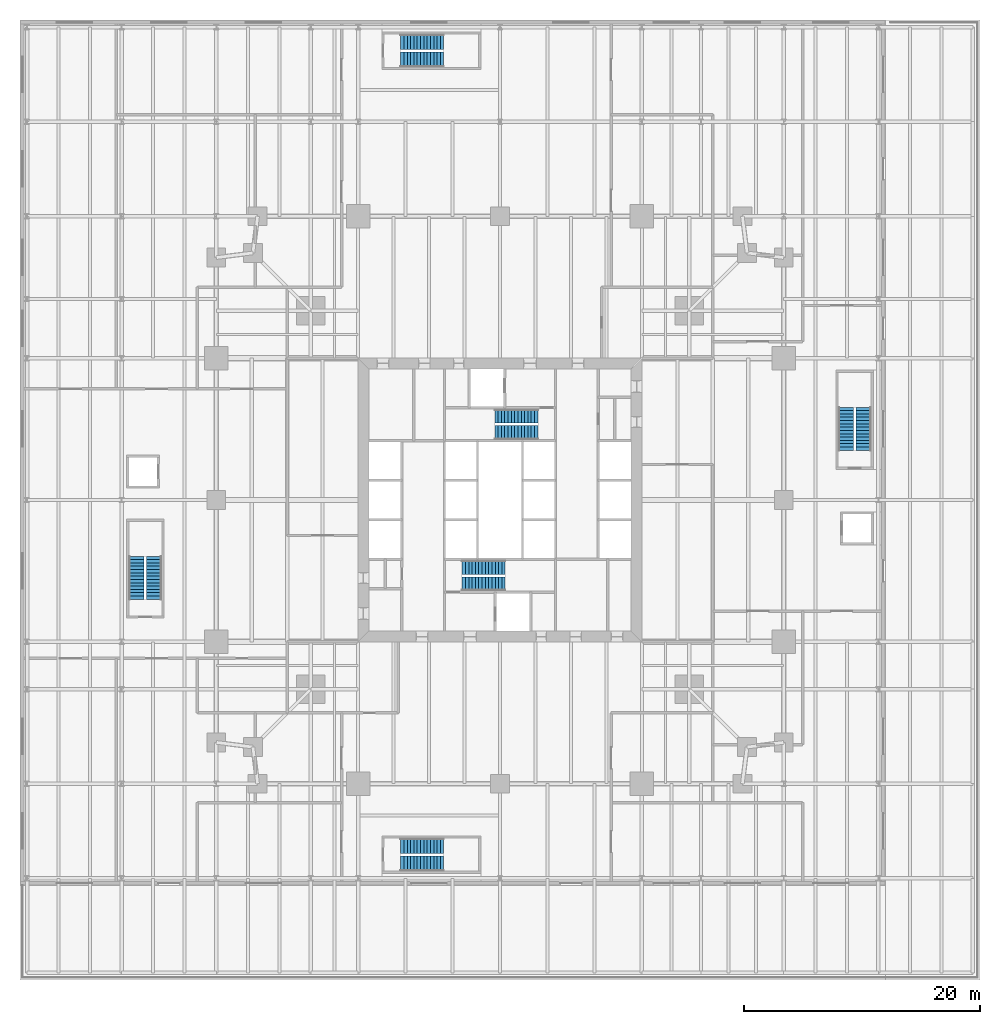
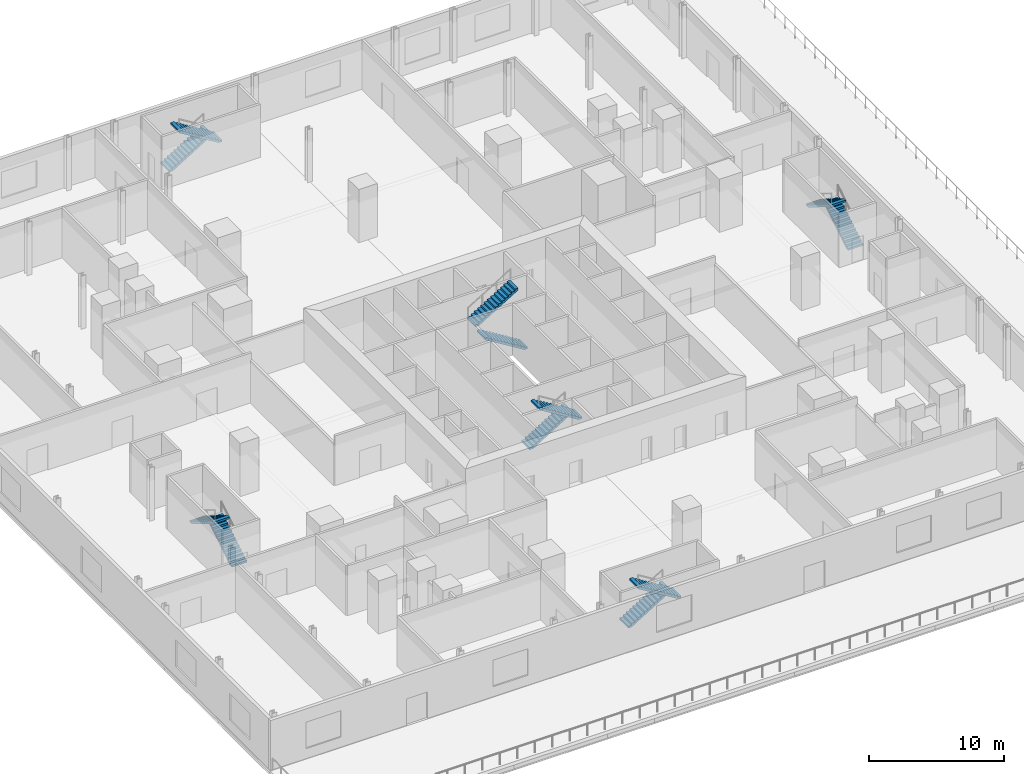
# One storey, part 16 of 18: 12 stair flights, 6 elements without a shape of their own.
"""IFC4 building model written with IfcOpenShell, lengths in metres."""

from ifc_helpers import new_model, si_unit, direction, frame, origin, place, context, subcontext, project, spatial, polyline, outline, extrude, material, type_object, element, aggregate, save


model = new_model("IFC4")

# Units and contexts
model_context = context("Model", 3, precision=1e-05, world=origin(), true_north=direction((0.0, 1.0)))
body_context = subcontext(model_context, "Body", "Model", "MODEL_VIEW")
ifc_project = project(units=[si_unit("LENGTHUNIT", "METRE"), si_unit("AREAUNIT", "SQUARE_METRE"), si_unit("VOLUMEUNIT", "CUBIC_METRE"), si_unit("PLANEANGLEUNIT", "RADIAN"), si_unit("MASSUNIT", "GRAM", prefix="KILO")], contexts=[model_context])

# Site, building, storey
site_placement = place(None, origin())
site = spatial("IfcSite", under=ifc_project, at=site_placement, CompositionType="ELEMENT")
building_placement = place(site_placement, origin())
building = spatial("IfcBuilding", under=site, at=building_placement, Name="Fenwick Lantern Interchange", CompositionType="ELEMENT")
storey_placement = place(building_placement, frame((0.0, 0.0, 11.800048828125)))
storey = spatial("IfcBuildingStorey", under=building, at=storey_placement, Name="L02", CompositionType="ELEMENT", Elevation=11.800048828125)

# Stair, stair flights
ifc_material = material(Name="Precast concrete f'c 35 MPa", Category="concrete")
stair_type_1 = type_object("IfcStairType", Name="EXIT STAIR 1200", PredefinedType="HALF_TURN_STAIR", material=ifc_material)
stair_1_placement = place(storey_placement, origin())
stair_1 = element("IfcStair", 1, at=stair_1_placement, inside=storey, type_object=stair_type_1, Name="Exit stair ST1", PredefinedType="HALF_TURN_STAIR")
stair_flight_type_1 = type_object("IfcStairFlightType", Name="STAIR FLIGHT 1200", PredefinedType="STRAIGHT", material=ifc_material)
stair_flight_1_placement = place(storey_placement, frame((21.800048828125, 19.300048828125, 0.0), z_axis=(0.0, 0.0, 1.0), x_axis=(1.0, 0.0, 0.0)))
stair_flight_1 = element("IfcStairFlight", 2, at=stair_flight_1_placement, type_object=stair_flight_type_1, Name="ST1 flight 1", NumberOfRisers=14, NumberOfTreads=13, PredefinedType="STRAIGHT", RiserHeight=0.171428571, TreadLength=0.28, context=body_context, shape_type="SweptSolid", body=[
    extrude(outline(polyline([(0.0, 0.0), (0.0, 0.17138671875), (0.280029296875, 0.17138671875), (0.280029296875, 0.3427734375), (0.56005859375, 0.3427734375), (0.56005859375, 0.514404296875), (0.840087890625, 0.514404296875), (0.840087890625, 0.685791015625), (1.1201171875, 0.685791015625), (1.1201171875, 0.857177734375), (1.39990234375, 0.857177734375), (1.39990234375, 1.028564453125), (1.679931640625, 1.028564453125), (1.679931640625, 1.199951171875), (1.9599609375, 1.199951171875), (1.9599609375, 1.371337890625), (2.239990234375, 1.371337890625), (2.239990234375, 1.54296875), (2.52001953125, 1.54296875), (2.52001953125, 1.71435546875), (2.800048828125, 1.71435546875), (2.800048828125, 1.8857421875), (3.080078125, 1.8857421875), (3.080078125, 2.05712890625), (3.360107421875, 2.05712890625), (3.360107421875, 2.228515625), (3.639892578125, 2.228515625), (3.639892578125, 2.39990234375), (3.639892578125, 2.052734375), (0.287109375, 0.0), (0.0, 0.0)])), frame((0.0, 0.60009765625, 0.0), z_axis=(0.0, -1.0, 0.0), x_axis=(1.0, 0.0, 0.0)), (0.0, 0.0, 1.0), 1.199951171875),
])
stair_flight_2_placement = place(storey_placement, frame((25.43994140625, 17.89990234375, 2.39990234375), z_axis=(0.0, 0.0, 1.0), x_axis=(-1.0, 0.0, 0.0)))
stair_flight_2 = element("IfcStairFlight", 3, at=stair_flight_2_placement, type_object=stair_flight_type_1, Name="ST1 flight 2", NumberOfRisers=14, NumberOfTreads=13, PredefinedType="STRAIGHT", RiserHeight=0.171428571, TreadLength=0.28, context=body_context, shape_type="SweptSolid", body=[
    extrude(outline(polyline([(0.0, 0.0), (0.0, 0.17138671875), (0.280029296875, 0.17138671875), (0.280029296875, 0.3427734375), (0.56005859375, 0.3427734375), (0.56005859375, 0.514404296875), (0.840087890625, 0.514404296875), (0.840087890625, 0.685791015625), (1.1201171875, 0.685791015625), (1.1201171875, 0.857177734375), (1.39990234375, 0.857177734375), (1.39990234375, 1.028564453125), (1.679931640625, 1.028564453125), (1.679931640625, 1.199951171875), (1.9599609375, 1.199951171875), (1.9599609375, 1.371337890625), (2.239990234375, 1.371337890625), (2.239990234375, 1.54296875), (2.52001953125, 1.54296875), (2.52001953125, 1.71435546875), (2.800048828125, 1.71435546875), (2.800048828125, 1.8857421875), (3.080078125, 1.8857421875), (3.080078125, 2.05712890625), (3.360107421875, 2.05712890625), (3.360107421875, 2.228515625), (3.639892578125, 2.228515625), (3.639892578125, 2.39990234375), (3.639892578125, 2.052734375), (0.287109375, 0.0), (0.0, 0.0)])), frame((0.0, 0.60009765625, 0.0), z_axis=(0.0, -1.0, 0.0), x_axis=(1.0, 0.0, 0.0)), (0.0, 0.0, 1.0), 1.199951171875),
])
aggregate(stair_1, [stair_flight_1, stair_flight_2])

stair_2_placement = place(storey_placement, origin())
stair_2 = element("IfcStair", 4, at=stair_2_placement, inside=storey, type_object=stair_type_1, Name="Exit stair ST2", PredefinedType="HALF_TURN_STAIR")
stair_flight_3_placement = place(storey_placement, frame((28.199951171875, 30.699951171875, 0.0), z_axis=(0.0, 0.0, 1.0), x_axis=(-1.0, 0.0, 0.0)))
stair_flight_3 = element("IfcStairFlight", 5, at=stair_flight_3_placement, type_object=stair_flight_type_1, Name="ST2 flight 1", NumberOfRisers=14, NumberOfTreads=13, PredefinedType="STRAIGHT", RiserHeight=0.171428571, TreadLength=0.28, context=body_context, shape_type="SweptSolid", body=[
    extrude(outline(polyline([(0.0, 0.0), (0.0, 0.17138671875), (0.280029296875, 0.17138671875), (0.280029296875, 0.3427734375), (0.56005859375, 0.3427734375), (0.56005859375, 0.514404296875), (0.840087890625, 0.514404296875), (0.840087890625, 0.685791015625), (1.1201171875, 0.685791015625), (1.1201171875, 0.857177734375), (1.39990234375, 0.857177734375), (1.39990234375, 1.028564453125), (1.679931640625, 1.028564453125), (1.679931640625, 1.199951171875), (1.9599609375, 1.199951171875), (1.9599609375, 1.371337890625), (2.239990234375, 1.371337890625), (2.239990234375, 1.54296875), (2.52001953125, 1.54296875), (2.52001953125, 1.71435546875), (2.800048828125, 1.71435546875), (2.800048828125, 1.8857421875), (3.080078125, 1.8857421875), (3.080078125, 2.05712890625), (3.360107421875, 2.05712890625), (3.360107421875, 2.228515625), (3.639892578125, 2.228515625), (3.639892578125, 2.39990234375), (3.639892578125, 2.052734375), (0.287109375, 0.0), (0.0, 0.0)])), frame((0.0, 0.60009765625, 0.0), z_axis=(0.0, -1.0, 0.0), x_axis=(1.0, 0.0, 0.0)), (0.0, 0.0, 1.0), 1.199951171875),
])
stair_flight_4_placement = place(storey_placement, frame((24.56005859375, 32.10009765625, 2.39990234375), z_axis=(0.0, 0.0, 1.0), x_axis=(1.0, 0.0, 0.0)))
stair_flight_4 = element("IfcStairFlight", 6, at=stair_flight_4_placement, type_object=stair_flight_type_1, Name="ST2 flight 2", NumberOfRisers=14, NumberOfTreads=13, PredefinedType="STRAIGHT", RiserHeight=0.171428571, TreadLength=0.28, context=body_context, shape_type="SweptSolid", body=[
    extrude(outline(polyline([(0.0, 0.0), (0.0, 0.17138671875), (0.280029296875, 0.17138671875), (0.280029296875, 0.3427734375), (0.56005859375, 0.3427734375), (0.56005859375, 0.514404296875), (0.840087890625, 0.514404296875), (0.840087890625, 0.685791015625), (1.1201171875, 0.685791015625), (1.1201171875, 0.857177734375), (1.39990234375, 0.857177734375), (1.39990234375, 1.028564453125), (1.679931640625, 1.028564453125), (1.679931640625, 1.199951171875), (1.9599609375, 1.199951171875), (1.9599609375, 1.371337890625), (2.239990234375, 1.371337890625), (2.239990234375, 1.54296875), (2.52001953125, 1.54296875), (2.52001953125, 1.71435546875), (2.800048828125, 1.71435546875), (2.800048828125, 1.8857421875), (3.080078125, 1.8857421875), (3.080078125, 2.05712890625), (3.360107421875, 2.05712890625), (3.360107421875, 2.228515625), (3.639892578125, 2.228515625), (3.639892578125, 2.39990234375), (3.639892578125, 2.052734375), (0.287109375, 0.0), (0.0, 0.0)])), frame((0.0, 0.60009765625, 0.0), z_axis=(0.0, -1.0, 0.0), x_axis=(1.0, 0.0, 0.0)), (0.0, 0.0, 1.0), 1.199951171875),
])
aggregate(stair_2, [stair_flight_3, stair_flight_4])

stair_type_2 = type_object("IfcStairType", Name="EXIT STAIR 1300", PredefinedType="HALF_TURN_STAIR", material=ifc_material)
stair_3_placement = place(storey_placement, origin())
stair_3 = element("IfcStair", 7, at=stair_3_placement, inside=storey, type_object=stair_type_2, Name="Exit stair PS1", PredefinedType="HALF_TURN_STAIR")
stair_flight_type_2 = type_object("IfcStairFlightType", Name="STAIR FLIGHT 1300", PredefinedType="STRAIGHT", material=ifc_material)
stair_flight_5_placement = place(storey_placement, frame((16.60009765625, 63.75, 0.0), z_axis=(0.0, 0.0, 1.0), x_axis=(1.0, 0.0, 0.0)))
stair_flight_5 = element("IfcStairFlight", 8, at=stair_flight_5_placement, type_object=stair_flight_type_2, Name="PS1 flight 1", NumberOfRisers=14, NumberOfTreads=13, PredefinedType="STRAIGHT", RiserHeight=0.171428571, TreadLength=0.28, context=body_context, shape_type="SweptSolid", body=[
    extrude(outline(polyline([(0.0, 0.0), (0.0, 0.17138671875), (0.280029296875, 0.17138671875), (0.280029296875, 0.3427734375), (0.56005859375, 0.3427734375), (0.56005859375, 0.514404296875), (0.840087890625, 0.514404296875), (0.840087890625, 0.685791015625), (1.1201171875, 0.685791015625), (1.1201171875, 0.857177734375), (1.39990234375, 0.857177734375), (1.39990234375, 1.028564453125), (1.679931640625, 1.028564453125), (1.679931640625, 1.199951171875), (1.9599609375, 1.199951171875), (1.9599609375, 1.371337890625), (2.239990234375, 1.371337890625), (2.239990234375, 1.54296875), (2.52001953125, 1.54296875), (2.52001953125, 1.71435546875), (2.800048828125, 1.71435546875), (2.800048828125, 1.8857421875), (3.080078125, 1.8857421875), (3.080078125, 2.05712890625), (3.360107421875, 2.05712890625), (3.360107421875, 2.228515625), (3.639892578125, 2.228515625), (3.639892578125, 2.39990234375), (3.639892578125, 2.052734375), (0.287109375, 0.0), (0.0, 0.0)])), frame((0.0, 0.64990234375, 0.0), z_axis=(0.0, -1.0, 0.0), x_axis=(1.0, 0.0, 0.0)), (0.0, 0.0, 1.0), 1.300048828125),
])
stair_flight_6_placement = place(storey_placement, frame((20.239990234375, 62.25, 2.39990234375), z_axis=(0.0, 0.0, 1.0), x_axis=(-1.0, 0.0, 0.0)))
stair_flight_6 = element("IfcStairFlight", 9, at=stair_flight_6_placement, type_object=stair_flight_type_2, Name="PS1 flight 2", NumberOfRisers=14, NumberOfTreads=13, PredefinedType="STRAIGHT", RiserHeight=0.171428571, TreadLength=0.28, context=body_context, shape_type="SweptSolid", body=[
    extrude(outline(polyline([(0.0, 0.0), (0.0, 0.17138671875), (0.280029296875, 0.17138671875), (0.280029296875, 0.3427734375), (0.56005859375, 0.3427734375), (0.56005859375, 0.514404296875), (0.840087890625, 0.514404296875), (0.840087890625, 0.685791015625), (1.1201171875, 0.685791015625), (1.1201171875, 0.857177734375), (1.39990234375, 0.857177734375), (1.39990234375, 1.028564453125), (1.679931640625, 1.028564453125), (1.679931640625, 1.199951171875), (1.9599609375, 1.199951171875), (1.9599609375, 1.371337890625), (2.239990234375, 1.371337890625), (2.239990234375, 1.54296875), (2.52001953125, 1.54296875), (2.52001953125, 1.71435546875), (2.800048828125, 1.71435546875), (2.800048828125, 1.8857421875), (3.080078125, 1.8857421875), (3.080078125, 2.05712890625), (3.360107421875, 2.05712890625), (3.360107421875, 2.228515625), (3.639892578125, 2.228515625), (3.639892578125, 2.39990234375), (3.639892578125, 2.052734375), (0.287109375, 0.0), (0.0, 0.0)])), frame((0.0, 0.64990234375, 0.0), z_axis=(0.0, -1.0, 0.0), x_axis=(1.0, 0.0, 0.0)), (0.0, 0.0, 1.0), 1.300048828125),
])
aggregate(stair_3, [stair_flight_5, stair_flight_6])

stair_4_placement = place(storey_placement, origin())
stair_4 = element("IfcStair", 10, at=stair_4_placement, inside=storey, type_object=stair_type_2, Name="Exit stair PS2", PredefinedType="HALF_TURN_STAIR")
stair_flight_7_placement = place(storey_placement, frame((16.60009765625, -4.25, 0.0), z_axis=(0.0, 0.0, 1.0), x_axis=(1.0, 0.0, 0.0)))
stair_flight_7 = element("IfcStairFlight", 11, at=stair_flight_7_placement, type_object=stair_flight_type_2, Name="PS2 flight 1", NumberOfRisers=14, NumberOfTreads=13, PredefinedType="STRAIGHT", RiserHeight=0.171428571, TreadLength=0.28, context=body_context, shape_type="SweptSolid", body=[
    extrude(outline(polyline([(0.0, 0.0), (0.0, 0.17138671875), (0.280029296875, 0.17138671875), (0.280029296875, 0.3427734375), (0.56005859375, 0.3427734375), (0.56005859375, 0.514404296875), (0.840087890625, 0.514404296875), (0.840087890625, 0.685791015625), (1.1201171875, 0.685791015625), (1.1201171875, 0.857177734375), (1.39990234375, 0.857177734375), (1.39990234375, 1.028564453125), (1.679931640625, 1.028564453125), (1.679931640625, 1.199951171875), (1.9599609375, 1.199951171875), (1.9599609375, 1.371337890625), (2.239990234375, 1.371337890625), (2.239990234375, 1.54296875), (2.52001953125, 1.54296875), (2.52001953125, 1.71435546875), (2.800048828125, 1.71435546875), (2.800048828125, 1.8857421875), (3.080078125, 1.8857421875), (3.080078125, 2.05712890625), (3.360107421875, 2.05712890625), (3.360107421875, 2.228515625), (3.639892578125, 2.228515625), (3.639892578125, 2.39990234375), (3.639892578125, 2.052734375), (0.287109375, 0.0), (0.0, 0.0)])), frame((0.0, 0.64990234375, 0.0), z_axis=(0.0, -1.0, 0.0), x_axis=(1.0, 0.0, 0.0)), (0.0, 0.0, 1.0), 1.300048828125),
])
stair_flight_8_placement = place(storey_placement, frame((20.239990234375, -5.75, 2.39990234375), z_axis=(0.0, 0.0, 1.0), x_axis=(-1.0, 0.0, 0.0)))
stair_flight_8 = element("IfcStairFlight", 12, at=stair_flight_8_placement, type_object=stair_flight_type_2, Name="PS2 flight 2", NumberOfRisers=14, NumberOfTreads=13, PredefinedType="STRAIGHT", RiserHeight=0.171428571, TreadLength=0.28, context=body_context, shape_type="SweptSolid", body=[
    extrude(outline(polyline([(0.0, 0.0), (0.0, 0.17138671875), (0.280029296875, 0.17138671875), (0.280029296875, 0.3427734375), (0.56005859375, 0.3427734375), (0.56005859375, 0.514404296875), (0.840087890625, 0.514404296875), (0.840087890625, 0.685791015625), (1.1201171875, 0.685791015625), (1.1201171875, 0.857177734375), (1.39990234375, 0.857177734375), (1.39990234375, 1.028564453125), (1.679931640625, 1.028564453125), (1.679931640625, 1.199951171875), (1.9599609375, 1.199951171875), (1.9599609375, 1.371337890625), (2.239990234375, 1.371337890625), (2.239990234375, 1.54296875), (2.52001953125, 1.54296875), (2.52001953125, 1.71435546875), (2.800048828125, 1.71435546875), (2.800048828125, 1.8857421875), (3.080078125, 1.8857421875), (3.080078125, 2.05712890625), (3.360107421875, 2.05712890625), (3.360107421875, 2.228515625), (3.639892578125, 2.228515625), (3.639892578125, 2.39990234375), (3.639892578125, 2.052734375), (0.287109375, 0.0), (0.0, 0.0)])), frame((0.0, 0.64990234375, 0.0), z_axis=(0.0, -1.0, 0.0), x_axis=(1.0, 0.0, 0.0)), (0.0, 0.0, 1.0), 1.300048828125),
])
aggregate(stair_4, [stair_flight_7, stair_flight_8])

stair_5_placement = place(storey_placement, origin())
stair_5 = element("IfcStair", 13, at=stair_5_placement, inside=storey, type_object=stair_type_2, Name="Exit stair PS3", PredefinedType="HALF_TURN_STAIR")
stair_flight_9_placement = place(storey_placement, frame((-4.25, 16.60009765625, 0.0), z_axis=(0.0, 0.0, 1.0), x_axis=(0.0, 1.0, 0.0)))
stair_flight_9 = element("IfcStairFlight", 14, at=stair_flight_9_placement, type_object=stair_flight_type_2, Name="PS3 flight 1", NumberOfRisers=14, NumberOfTreads=13, PredefinedType="STRAIGHT", RiserHeight=0.171428571, TreadLength=0.28, context=body_context, shape_type="SweptSolid", body=[
    extrude(outline(polyline([(0.0, 0.0), (0.0, 0.17138671875), (0.280029296875, 0.17138671875), (0.280029296875, 0.3427734375), (0.56005859375, 0.3427734375), (0.56005859375, 0.514404296875), (0.840087890625, 0.514404296875), (0.840087890625, 0.685791015625), (1.1201171875, 0.685791015625), (1.1201171875, 0.857177734375), (1.39990234375, 0.857177734375), (1.39990234375, 1.028564453125), (1.679931640625, 1.028564453125), (1.679931640625, 1.199951171875), (1.9599609375, 1.199951171875), (1.9599609375, 1.371337890625), (2.239990234375, 1.371337890625), (2.239990234375, 1.54296875), (2.52001953125, 1.54296875), (2.52001953125, 1.71435546875), (2.800048828125, 1.71435546875), (2.800048828125, 1.8857421875), (3.080078125, 1.8857421875), (3.080078125, 2.05712890625), (3.360107421875, 2.05712890625), (3.360107421875, 2.228515625), (3.639892578125, 2.228515625), (3.639892578125, 2.39990234375), (3.639892578125, 2.052734375), (0.287109375, 0.0), (0.0, 0.0)])), frame((0.0, 0.64990234375, 0.0), z_axis=(0.0, -1.0, 0.0), x_axis=(1.0, 0.0, 0.0)), (0.0, 0.0, 1.0), 1.300048828125),
])
stair_flight_10_placement = place(storey_placement, frame((-5.75, 20.239990234375, 2.39990234375), z_axis=(0.0, 0.0, 1.0), x_axis=(0.0, -1.0, 0.0)))
stair_flight_10 = element("IfcStairFlight", 15, at=stair_flight_10_placement, type_object=stair_flight_type_2, Name="PS3 flight 2", NumberOfRisers=14, NumberOfTreads=13, PredefinedType="STRAIGHT", RiserHeight=0.171428571, TreadLength=0.28, context=body_context, shape_type="SweptSolid", body=[
    extrude(outline(polyline([(0.0, 0.0), (0.0, 0.17138671875), (0.280029296875, 0.17138671875), (0.280029296875, 0.3427734375), (0.56005859375, 0.3427734375), (0.56005859375, 0.514404296875), (0.840087890625, 0.514404296875), (0.840087890625, 0.685791015625), (1.1201171875, 0.685791015625), (1.1201171875, 0.857177734375), (1.39990234375, 0.857177734375), (1.39990234375, 1.028564453125), (1.679931640625, 1.028564453125), (1.679931640625, 1.199951171875), (1.9599609375, 1.199951171875), (1.9599609375, 1.371337890625), (2.239990234375, 1.371337890625), (2.239990234375, 1.54296875), (2.52001953125, 1.54296875), (2.52001953125, 1.71435546875), (2.800048828125, 1.71435546875), (2.800048828125, 1.8857421875), (3.080078125, 1.8857421875), (3.080078125, 2.05712890625), (3.360107421875, 2.05712890625), (3.360107421875, 2.228515625), (3.639892578125, 2.228515625), (3.639892578125, 2.39990234375), (3.639892578125, 2.052734375), (0.287109375, 0.0), (0.0, 0.0)])), frame((0.0, 0.64990234375, 0.0), z_axis=(0.0, -1.0, 0.0), x_axis=(1.0, 0.0, 0.0)), (0.0, 0.0, 1.0), 1.300048828125),
])
aggregate(stair_5, [stair_flight_9, stair_flight_10])

stair_6_placement = place(storey_placement, origin())
stair_6 = element("IfcStair", 16, at=stair_6_placement, inside=storey, type_object=stair_type_2, Name="Exit stair PS4", PredefinedType="HALF_TURN_STAIR")
stair_flight_11_placement = place(storey_placement, frame((55.75, 29.199951171875, 0.0), z_axis=(0.0, 0.0, 1.0), x_axis=(0.0, 1.0, 0.0)))
stair_flight_11 = element("IfcStairFlight", 17, at=stair_flight_11_placement, type_object=stair_flight_type_2, Name="PS4 flight 1", NumberOfRisers=14, NumberOfTreads=13, PredefinedType="STRAIGHT", RiserHeight=0.171428571, TreadLength=0.28, context=body_context, shape_type="SweptSolid", body=[
    extrude(outline(polyline([(0.0, 0.0), (0.0, 0.17138671875), (0.280029296875, 0.17138671875), (0.280029296875, 0.3427734375), (0.56005859375, 0.3427734375), (0.56005859375, 0.514404296875), (0.840087890625, 0.514404296875), (0.840087890625, 0.685791015625), (1.1201171875, 0.685791015625), (1.1201171875, 0.857177734375), (1.39990234375, 0.857177734375), (1.39990234375, 1.028564453125), (1.679931640625, 1.028564453125), (1.679931640625, 1.199951171875), (1.9599609375, 1.199951171875), (1.9599609375, 1.371337890625), (2.239990234375, 1.371337890625), (2.239990234375, 1.54296875), (2.52001953125, 1.54296875), (2.52001953125, 1.71435546875), (2.800048828125, 1.71435546875), (2.800048828125, 1.8857421875), (3.080078125, 1.8857421875), (3.080078125, 2.05712890625), (3.360107421875, 2.05712890625), (3.360107421875, 2.228515625), (3.639892578125, 2.228515625), (3.639892578125, 2.39990234375), (3.639892578125, 2.052734375), (0.287109375, 0.0), (0.0, 0.0)])), frame((0.0, 0.64990234375, 0.0), z_axis=(0.0, -1.0, 0.0), x_axis=(1.0, 0.0, 0.0)), (0.0, 0.0, 1.0), 1.300048828125),
])
stair_flight_12_placement = place(storey_placement, frame((54.25, 32.840087890625, 2.39990234375), z_axis=(0.0, 0.0, 1.0), x_axis=(0.0, -1.0, 0.0)))
stair_flight_12 = element("IfcStairFlight", 18, at=stair_flight_12_placement, type_object=stair_flight_type_2, Name="PS4 flight 2", NumberOfRisers=14, NumberOfTreads=13, PredefinedType="STRAIGHT", RiserHeight=0.171428571, TreadLength=0.28, context=body_context, shape_type="SweptSolid", body=[
    extrude(outline(polyline([(0.0, 0.0), (0.0, 0.17138671875), (0.280029296875, 0.17138671875), (0.280029296875, 0.3427734375), (0.56005859375, 0.3427734375), (0.56005859375, 0.514404296875), (0.840087890625, 0.514404296875), (0.840087890625, 0.685791015625), (1.1201171875, 0.685791015625), (1.1201171875, 0.857177734375), (1.39990234375, 0.857177734375), (1.39990234375, 1.028564453125), (1.679931640625, 1.028564453125), (1.679931640625, 1.199951171875), (1.9599609375, 1.199951171875), (1.9599609375, 1.371337890625), (2.239990234375, 1.371337890625), (2.239990234375, 1.54296875), (2.52001953125, 1.54296875), (2.52001953125, 1.71435546875), (2.800048828125, 1.71435546875), (2.800048828125, 1.8857421875), (3.080078125, 1.8857421875), (3.080078125, 2.05712890625), (3.360107421875, 2.05712890625), (3.360107421875, 2.228515625), (3.639892578125, 2.228515625), (3.639892578125, 2.39990234375), (3.639892578125, 2.052734375), (0.287109375, 0.0), (0.0, 0.0)])), frame((0.0, 0.64990234375, 0.0), z_axis=(0.0, -1.0, 0.0), x_axis=(1.0, 0.0, 0.0)), (0.0, 0.0, 1.0), 1.300048828125),
])
aggregate(stair_6, [stair_flight_11, stair_flight_12])

save(model, "model.ifc")
